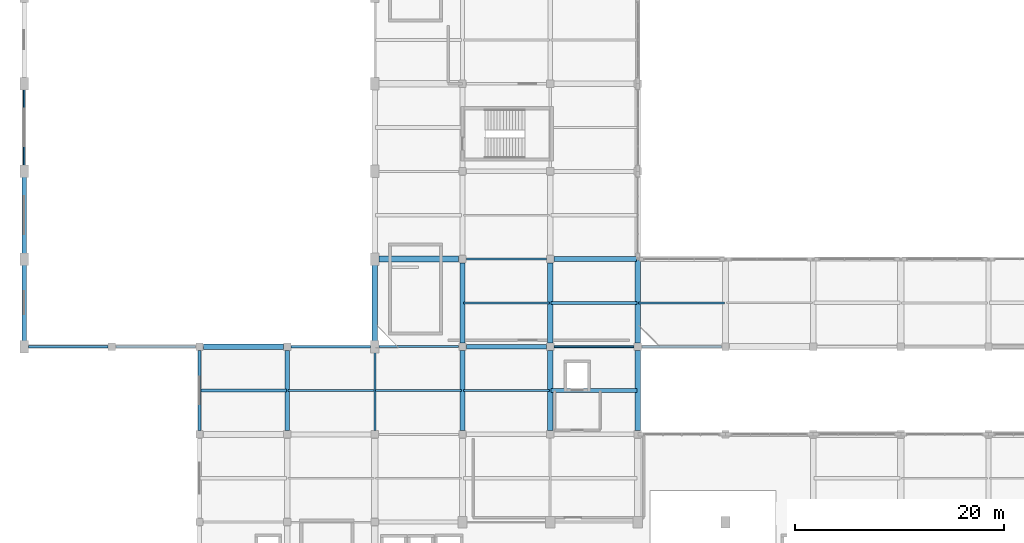
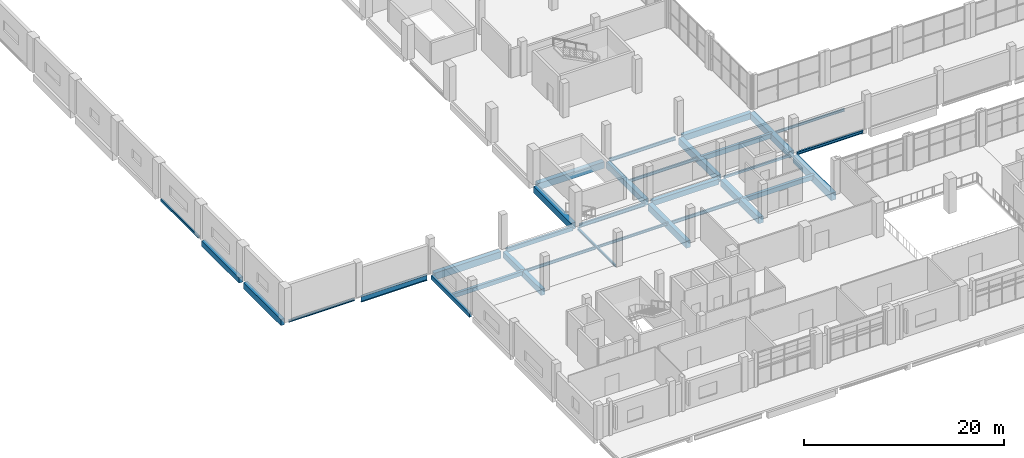
# One storey, part 13 of 59: 32 beams.
"""IFC4 building model written with IfcOpenShell, lengths in metres."""

import ifcopenshell
import ifcopenshell.guid

model = None  # the IFC model being written
_history = None  # IfcOwnerHistory: only IFC2X3 demands one
_inside = {}  # id of a spatial element -> (the spatial element, [elements in it])
_under = {}  # id of a project, library or spatial element -> (it, [spatial elements below it])
_declared = {}  # id of a project -> (the project, [libraries it declares])
_typed = {}  # id of a type object -> (the type object, [elements of that type])
_made_of = {}  # id of a material, layer set ... -> (it, [elements and type objects made of it])


def new_model(schema):
    """Start an empty IFC model of exactly this schema.

    Asked for "IFC4X3", IfcOpenShell would pick the latest addendum, in which some entities
    have other attributes; the version numbers below select the first issue.
    IFC2X3 requires an IfcOwnerHistory on every rooted entity: one is made here for all.
    """
    global model, _history
    if schema == "IFC4X3":
        model = ifcopenshell.file(schema_version=(4, 3, 0, 0))
    else:
        model = ifcopenshell.file(schema=schema)
    _inside.clear()
    _under.clear()
    _declared.clear()
    _typed.clear()
    _made_of.clear()
    _history = None
    if model.schema == "IFC2X3":
        org = make("IfcOrganization", Name="unknown")
        user = make(
            "IfcPersonAndOrganization",
            ThePerson=make("IfcPerson", FamilyName="unknown"),
            TheOrganization=org,
        )
        app = make(
            "IfcApplication",
            ApplicationDeveloper=org,
            Version="unknown",
            ApplicationFullName="unknown",
            ApplicationIdentifier="unknown",
        )
        _history = make(
            "IfcOwnerHistory",
            OwningUser=user,
            OwningApplication=app,
            ChangeAction="ADDED",
            CreationDate=0,
        )
    return model


def make(cls, **values):
    """One entity of the class cls with the attributes given. An attribute that is None is left unset."""
    return model.create_entity(
        cls, **{name: value for name, value in values.items() if value is not None}
    )


def rooted(cls, **values):
    """An entity with a GlobalId (a new one), such as an element, a storey or a relation."""
    return make(cls, GlobalId=ifcopenshell.guid.new(), OwnerHistory=_history, **values)


def si_unit(unit_type, name, prefix=None):
    """IfcSIUnit, for example si_unit("LENGTHUNIT", "METRE", prefix="MILLI")."""
    return make("IfcSIUnit", UnitType=unit_type, Prefix=prefix, Name=name)


def derived_unit(unit_type, elements):
    """IfcDerivedUnit: a product of units, each with its exponent."""
    return make(
        "IfcDerivedUnit",
        Elements=[
            make("IfcDerivedUnitElement", Unit=unit, Exponent=power)
            for unit, power in elements
        ],
        UnitType=unit_type,
    )


def assignment(units):
    """IfcUnitAssignment: the units of a project."""
    return None if units is None else make("IfcUnitAssignment", Units=units)


def point(xyz):
    """IfcCartesianPoint."""
    return None if xyz is None else make("IfcCartesianPoint", Coordinates=xyz)


def direction(xyz):
    """IfcDirection."""
    return None if xyz is None else make("IfcDirection", DirectionRatios=xyz)


def frame(location, z_axis=None, x_axis=None):
    """IfcAxis2Placement3D, a coordinate frame: its origin and axes. An axis left out is left unset."""
    return make(
        "IfcAxis2Placement3D",
        Location=point(location),
        Axis=direction(z_axis),
        RefDirection=direction(x_axis),
    )


def frame_2d(location, x_axis=None):
    """IfcAxis2Placement2D, a coordinate frame in the plane: its origin and x axis."""
    return make(
        "IfcAxis2Placement2D", Location=point(location), RefDirection=direction(x_axis)
    )


def origin():
    """The frame at (0, 0, 0) with its axes left unset."""
    return frame((0.0, 0.0, 0.0))


def origin_2d():
    """The frame at (0, 0) in the plane with its x axis left unset."""
    return frame_2d((0.0, 0.0))


def place(relative_to, where):
    """IfcLocalPlacement: puts the frame where relative to a parent placement (None: the world)."""
    return make(
        "IfcLocalPlacement", PlacementRelTo=relative_to, RelativePlacement=where
    )


def context(
    kind, dimensions, precision=None, world=None, true_north=None, identifier=None
):
    """IfcGeometricRepresentationContext, for example the 3D "Model" context."""
    return make(
        "IfcGeometricRepresentationContext",
        ContextIdentifier=identifier,
        ContextType=kind,
        CoordinateSpaceDimension=dimensions,
        Precision=precision,
        WorldCoordinateSystem=world,
        TrueNorth=true_north,
    )


def subcontext(parent, identifier, kind, view, scale=None):
    """IfcGeometricRepresentationSubContext, for example "Body" below "Model"."""
    return make(
        "IfcGeometricRepresentationSubContext",
        ContextIdentifier=identifier,
        ContextType=kind,
        ParentContext=parent,
        TargetScale=scale,
        TargetView=view,
    )


def project(units=None, contexts=None):
    """IfcProject with its units and contexts."""
    return rooted(
        "IfcProject",
        Name="project",
        RepresentationContexts=contexts,
        UnitsInContext=assignment(units),
    )


def spatial(cls, under=None, at=None, **own):
    """A site, building, storey or space (cls), placed at a placement, below another one or the project."""
    s = rooted(cls, ObjectPlacement=at, **own)
    if under is not None:
        _under.setdefault(under.id(), (under, []))[1].append(s)
    return s


def profile(cls, at=None, kind="AREA", **sizes):
    """A parametric profile (cls). Its sizes go by their IFC names, for example OverallWidth=200.0."""
    return make(cls, ProfileType=kind, Position=at, **sizes)


def rectangle(**sizes):
    """IfcRectangleProfileDef."""
    return profile("IfcRectangleProfileDef", **sizes)


def hollow_rectangle(**sizes):
    """IfcRectangleHollowProfileDef."""
    return profile("IfcRectangleHollowProfileDef", **sizes)


def i_section(**sizes):
    """IfcIShapeProfileDef."""
    return profile("IfcIShapeProfileDef", **sizes)


def extrude(swept, where, along, depth):
    """IfcExtrudedAreaSolid: the profile swept, set in the frame where, extruded along a direction by depth."""
    return make(
        "IfcExtrudedAreaSolid",
        SweptArea=swept,
        Position=where,
        ExtrudedDirection=direction(along),
        Depth=depth,
    )


def shape(context_of_items, identifier, shape_type, items):
    """IfcShapeRepresentation: the items that make up one representation, for example the "Body"."""
    return make(
        "IfcShapeRepresentation",
        ContextOfItems=context_of_items,
        RepresentationIdentifier=identifier,
        RepresentationType=shape_type,
        Items=items,
    )


def material(Name=None, Category=None):
    """IfcMaterial."""
    return make("IfcMaterial", Name=Name, Category=Category)


def material_profile(
    of_material, cross_section, Name=None, Category=None, Priority=None
):
    """IfcMaterialProfile: a cross section and its material."""
    return make(
        "IfcMaterialProfile",
        Name=Name,
        Material=of_material,
        Profile=cross_section,
        Priority=Priority,
        Category=Category,
    )


def profile_set(profiles, Name=None, composite=None):
    """IfcMaterialProfileSet."""
    return make(
        "IfcMaterialProfileSet",
        Name=Name,
        MaterialProfiles=profiles,
        CompositeProfile=composite,
    )


def made_of(thing, what):
    """Note that an element or type object is made of a material, layer set ...; save() writes the relation."""
    if what is not None:
        _made_of.setdefault(what.id(), (what, []))[1].append(thing)
    return thing


def type_object(cls, material=None, **own):
    """A type object (cls), such as IfcWallType, which elements share."""
    return made_of(rooted(cls, **own), material)


def element(
    cls,
    number,
    at=None,
    inside=None,
    cuts=None,
    type_object=None,
    material=None,
    context=None,
    identifier="Body",
    shape_type=None,
    held_by="IfcProductDefinitionShape",
    body=None,
    shapes=None,
    **own,
):
    """One element of the class cls, such as IfcWall. Its Tag is "e" and its number.

    at: its placement. inside: the storey or other place that contains it. cuts: it is an
    opening in that element (IfcRelVoidsElement). A single representation is given by context,
    identifier, shape_type and body (its items); several are given by shapes. held_by: the class
    of the entity that holds the representations. save() writes the other relations.
    """
    e = rooted(cls, Tag="e%d" % number, ObjectPlacement=at, **own)
    if body is not None:
        shapes = [shape(context, identifier, shape_type, body)]
    if shapes is not None:
        e.Representation = make(held_by, Representations=shapes)
    if inside is not None:
        _inside.setdefault(inside.id(), (inside, []))[1].append(e)
    if cuts is not None:
        rooted(
            "IfcRelVoidsElement", RelatingBuildingElement=cuts, RelatedOpeningElement=e
        )
    if type_object is not None:
        _typed.setdefault(type_object.id(), (type_object, []))[1].append(e)
    return made_of(e, material)


def aggregate(whole, parts):
    """IfcRelAggregates: a whole, such as a stair, and the parts it consists of."""
    return rooted("IfcRelAggregates", RelatingObject=whole, RelatedObjects=parts)


def save(model, path):
    """Write the relations noted so far, then the file.

    IfcRelAggregates (storeys below a building ...), IfcRelContainedInSpatialStructure (elements
    in a storey), IfcRelDefinesByType, IfcRelAssociatesMaterial and IfcRelDeclares: one each for
    every whole, place, type object, material and project.
    """
    for whole, parts in _under.values():
        aggregate(whole, parts)
    for where, things in _inside.values():
        rooted(
            "IfcRelContainedInSpatialStructure",
            RelatedElements=things,
            RelatingStructure=where,
        )
    for kind, things in _typed.values():
        rooted("IfcRelDefinesByType", RelatedObjects=things, RelatingType=kind)
    for what, things in _made_of.values():
        rooted("IfcRelAssociatesMaterial", RelatedObjects=things, RelatingMaterial=what)
    for by, libraries in _declared.values():
        rooted("IfcRelDeclares", RelatingContext=by, RelatedDefinitions=libraries)
    model.write(path)


model = new_model("IFC4")

# Units and contexts
model_context = context("Model", 3, precision=1e-05, world=origin(), true_north=direction((0.0, 1.0)))
body_context = subcontext(model_context, "Body", "Model", "MODEL_VIEW")
ifc_project = project(units=[si_unit("LENGTHUNIT", "METRE"), si_unit("AREAUNIT", "SQUARE_METRE"), si_unit("VOLUMEUNIT", "CUBIC_METRE"), si_unit("PLANEANGLEUNIT", "RADIAN"), si_unit("MASSUNIT", "GRAM", prefix="KILO"), derived_unit("THERMALTRANSMITTANCEUNIT", [(si_unit("POWERUNIT", "WATT"), 1), (si_unit("LENGTHUNIT", "METRE"), -2), (si_unit("THERMODYNAMICTEMPERATUREUNIT", "KELVIN"), -1)])], contexts=[model_context])

# Site, building, storey
site_placement = place(None, origin())
site = spatial("IfcSite", under=ifc_project, at=site_placement, CompositionType="ELEMENT")
building_placement = place(site_placement, origin())
building = spatial("IfcBuilding", under=site, at=building_placement, Name="Barrovel Congress Hotel", CompositionType="ELEMENT")
storey_placement = place(building_placement, frame((0.0, 0.0, 9.89990234375)))
storey = spatial("IfcBuildingStorey", under=building, at=storey_placement, Name="L02", CompositionType="ELEMENT", Elevation=9.89990234375)

# Beams
ifc_material_1 = material(Name="Concrete C40", Category="concrete")
ifc_material_profile_1 = material_profile(ifc_material_1, rectangle(XDim=0.25, YDim=0.5, at=origin_2d()), Name="RC250x500")
ifc_profile_set_1 = profile_set([ifc_material_profile_1], Name="Concrete C40")
beam_type_1 = type_object("IfcBeamType", Name="BM-RC250x500", PredefinedType="SPANDREL", material=ifc_profile_set_1)
beam_1_placement = place(storey_placement, frame((25.574951171875, 37.800048828125, -0.510009765625), z_axis=(1.0, 0.0, 0.0), x_axis=(0.0, 1.0, 0.0)))
element("IfcBeam", 1, at=beam_1_placement, inside=storey, type_object=beam_type_1, Name="BMX:L02:37.8:25.2-33.6", PredefinedType="SPANDREL", context=body_context, shape_type="SweptSolid", body=[
    extrude(rectangle(XDim=0.25, YDim=0.5, at=origin_2d()), origin(), (0.0, 0.0, 1.0), 7.625),
])
beam_2_placement = place(storey_placement, frame((16.800048828125, 29.77490234375, -0.510009765625), z_axis=(0.0, 1.0, 0.0), x_axis=(-1.0, 0.0, 0.0)))
element("IfcBeam", 2, at=beam_2_placement, inside=storey, type_object=beam_type_1, Name="BMY:L02:16.8:29.4-37.8", PredefinedType="SPANDREL", context=body_context, shape_type="SweptSolid", body=[
    extrude(rectangle(XDim=0.25, YDim=0.5, at=origin_2d()), origin(), (0.0, 0.0, 1.0), 7.650146484375),
])
ifc_material_profile_2 = material_profile(ifc_material_1, rectangle(XDim=0.300048828125, YDim=0.5, at=origin_2d()), Name="RC300x500")
ifc_profile_set_2 = profile_set([ifc_material_profile_2], Name="Concrete C40")
beam_type_2 = type_object("IfcBeamType", Name="BM-RC300x500", PredefinedType="JOIST", material=ifc_profile_set_2)
beam_3_placement = place(storey_placement, frame((16.8798828125, 33.60009765625, -0.510009765625), z_axis=(1.0, 0.0, 0.0), x_axis=(0.0, 1.0, 0.0)))
element("IfcBeam", 3, at=beam_3_placement, inside=storey, type_object=beam_type_2, Name="JST:L02:16.8:33.6", PredefinedType="JOIST", context=body_context, shape_type="SweptSolid", body=[
    extrude(rectangle(XDim=0.300048828125, YDim=0.5, at=origin_2d()), origin(), (0.0, 0.0, 1.0), 8.240234375),
])
ifc_material_profile_3 = material_profile(ifc_material_1, rectangle(XDim=0.300048828125, YDim=0.60009765625, at=origin_2d()), Name="RC300x600")
ifc_profile_set_3 = profile_set([ifc_material_profile_3], Name="Concrete C40")
beam_type_3 = type_object("IfcBeamType", Name="BM-RC300x600", PredefinedType="JOIST", material=ifc_profile_set_3)
beam_4_placement = place(storey_placement, frame((50.47998046875, 42.0, -0.559814453125), z_axis=(1.0, 0.0, 0.0), x_axis=(0.0, 1.0, 0.0)))
element("IfcBeam", 4, at=beam_4_placement, inside=storey, type_object=beam_type_3, Name="JST:L02:50.4:42.0", PredefinedType="JOIST", context=body_context, shape_type="SweptSolid", body=[
    extrude(rectangle(XDim=0.300048828125, YDim=0.60009765625, at=origin_2d()), origin(), (0.0, 0.0, 1.0), 8.239990234375),
])
ifc_material_profile_4 = material_profile(ifc_material_1, rectangle(XDim=0.35009765625, YDim=0.550048828125, at=origin_2d()), Name="RC350x550")
ifc_profile_set_4 = profile_set([ifc_material_profile_4], Name="Concrete C40")
beam_type_4 = type_object("IfcBeamType", Name="BM-RC350x550", PredefinedType="JOIST", material=ifc_profile_set_4)
beam_5_placement = place(storey_placement, frame((50.47998046875, 33.60009765625, -0.534912109375), z_axis=(1.0, 0.0, 0.0), x_axis=(0.0, 1.0, 0.0)))
element("IfcBeam", 5, at=beam_5_placement, inside=storey, type_object=beam_type_4, Name="JST:L02:50.4:33.6", PredefinedType="JOIST", context=body_context, shape_type="SweptSolid", body=[
    extrude(rectangle(XDim=0.35009765625, YDim=0.550048828125, at=origin_2d()), origin(), (0.0, 0.0, 1.0), 8.239990234375),
])
ifc_material_profile_5 = material_profile(ifc_material_1, rectangle(XDim=0.449951171875, YDim=0.64990234375, at=origin_2d()), Name="RC450x650")
ifc_profile_set_5 = profile_set([ifc_material_profile_5], Name="Concrete C40")
beam_type_5 = type_object("IfcBeamType", Name="BM-RC450x650", PredefinedType="BEAM", material=ifc_profile_set_5)
beam_6_placement = place(storey_placement, frame((42.375, 37.800048828125, -0.5849609375), z_axis=(1.0, 0.0, 0.0), x_axis=(0.0, 1.0, 0.0)))
element("IfcBeam", 6, at=beam_6_placement, inside=storey, type_object=beam_type_5, Name="BMX:L02:37.8:42.0-50.4", PredefinedType="BEAM", context=body_context, shape_type="SweptSolid", body=[
    extrude(rectangle(XDim=0.449951171875, YDim=0.64990234375, at=origin_2d()), origin(), (0.0, 0.0, 1.0), 7.64990234375),
])
beam_7_placement = place(storey_placement, frame((0.0, 46.64990234375, -0.5849609375), z_axis=(0.0, 1.0, 0.0), x_axis=(-1.0, 0.0, 0.0)))
element("IfcBeam", 7, at=beam_7_placement, inside=storey, type_object=beam_type_5, Name="BMY:L02:0.0:46.2-54.6", PredefinedType="BEAM", context=body_context, shape_type="SweptSolid", body=[
    extrude(rectangle(XDim=0.449951171875, YDim=0.64990234375, at=origin_2d()), origin(), (0.0, 0.0, 1.0), 7.5),
])
ifc_material_profile_6 = material_profile(ifc_material_1, rectangle(XDim=0.449951171875, YDim=0.75, at=origin_2d()), Name="RC450x750")
ifc_profile_set_6 = profile_set([ifc_material_profile_6], Name="Concrete C40")
beam_type_6 = type_object("IfcBeamType", Name="BM-RC450x750", PredefinedType="BEAM", material=ifc_profile_set_6)
beam_8_placement = place(storey_placement, frame((0.0, 38.25, -0.635009765625), z_axis=(0.0, 1.0, 0.0), x_axis=(-1.0, 0.0, 0.0)))
element("IfcBeam", 8, at=beam_8_placement, inside=storey, type_object=beam_type_6, Name="BMY:L02:0.0:37.8-46.2", PredefinedType="BEAM", context=body_context, shape_type="SweptSolid", body=[
    extrude(rectangle(XDim=0.449951171875, YDim=0.75, at=origin_2d()), origin(), (0.0, 0.0, 1.0), 7.5),
])
beam_9_placement = place(storey_placement, frame((25.199951171875, 29.77490234375, -0.635009765625), z_axis=(0.0, 1.0, 0.0), x_axis=(-1.0, 0.0, 0.0)))
element("IfcBeam", 9, at=beam_9_placement, inside=storey, type_object=beam_type_6, Name="BMY:L02:25.2:29.4-37.8", PredefinedType="BEAM", context=body_context, shape_type="SweptSolid", body=[
    extrude(rectangle(XDim=0.449951171875, YDim=0.75, at=origin_2d()), origin(), (0.0, 0.0, 1.0), 7.650146484375),
])
ifc_material_profile_7 = material_profile(ifc_material_1, rectangle(XDim=0.5, YDim=0.75, at=origin_2d()), Name="RC500x750")
ifc_profile_set_7 = profile_set([ifc_material_profile_7], Name="Concrete C40")
beam_type_7 = type_object("IfcBeamType", Name="BM-RC500x750", PredefinedType="BEAM", material=ifc_profile_set_7)
beam_10_placement = place(storey_placement, frame((50.77490234375, 46.199951171875, -0.635009765625), z_axis=(1.0, 0.0, 0.0), x_axis=(0.0, 1.0, 0.0)))
element("IfcBeam", 10, at=beam_10_placement, inside=storey, type_object=beam_type_7, Name="BMX:L02:46.2:50.4-58.8", PredefinedType="BEAM", context=body_context, shape_type="SweptSolid", body=[
    extrude(rectangle(XDim=0.5, YDim=0.75, at=origin_2d()), origin(), (0.0, 0.0, 1.0), 7.91552734375),
])
beam_11_placement = place(storey_placement, frame((42.0, 38.175048828125, -0.635009765625), z_axis=(0.0, 1.0, 0.0), x_axis=(-1.0, 0.0, 0.0)))
element("IfcBeam", 11, at=beam_11_placement, inside=storey, type_object=beam_type_7, Name="BMY:L02:42.0:37.8-46.2", PredefinedType="BEAM", context=body_context, shape_type="SweptSolid", body=[
    extrude(rectangle(XDim=0.5, YDim=0.75, at=origin_2d()), origin(), (0.0, 0.0, 1.0), 7.64990234375),
])
ifc_material_profile_8 = material_profile(ifc_material_1, rectangle(XDim=0.5, YDim=0.85009765625, at=origin_2d()), Name="RC500x850")
ifc_profile_set_8 = profile_set([ifc_material_profile_8], Name="Concrete C40")
beam_type_8 = type_object("IfcBeamType", Name="BM-RC500x850", PredefinedType="BEAM", material=ifc_profile_set_8)
beam_12_placement = place(storey_placement, frame((17.175048828125, 37.800048828125, -0.684814453125), z_axis=(1.0, 0.0, 0.0), x_axis=(0.0, 1.0, 0.0)))
element("IfcBeam", 12, at=beam_12_placement, inside=storey, type_object=beam_type_8, Name="BMX:L02:37.8:16.8-25.2", PredefinedType="BEAM", context=body_context, shape_type="SweptSolid", body=[
    extrude(rectangle(XDim=0.5, YDim=0.85009765625, at=origin_2d()), origin(), (0.0, 0.0, 1.0), 7.64990234375),
])
beam_13_placement = place(storey_placement, frame((42.0, 29.77490234375, -0.684814453125), z_axis=(0.0, 1.0, 0.0), x_axis=(-1.0, 0.0, 0.0)))
element("IfcBeam", 13, at=beam_13_placement, inside=storey, type_object=beam_type_8, Name="BMY:L02:42.0:29.4-37.8", PredefinedType="BEAM", context=body_context, shape_type="SweptSolid", body=[
    extrude(rectangle(XDim=0.5, YDim=0.85009765625, at=origin_2d()), origin(), (0.0, 0.0, 1.0), 7.650146484375),
])
beam_14_placement = place(storey_placement, frame((50.39990234375, 38.175048828125, -0.684814453125), z_axis=(0.0, 1.0, 0.0), x_axis=(-1.0, 0.0, 0.0)))
element("IfcBeam", 14, at=beam_14_placement, inside=storey, type_object=beam_type_8, Name="BMY:L02:50.4:37.8-46.2", PredefinedType="BEAM", context=body_context, shape_type="SweptSolid", body=[
    extrude(rectangle(XDim=0.5, YDim=0.85009765625, at=origin_2d()), origin(), (0.0, 0.0, 1.0), 7.64990234375),
])
ifc_material_profile_9 = material_profile(ifc_material_1, rectangle(XDim=0.550048828125, YDim=0.800048828125, at=origin_2d()), Name="RC550x800")
ifc_profile_set_9 = profile_set([ifc_material_profile_9], Name="Concrete C40")
beam_type_9 = type_object("IfcBeamType", Name="BM-RC550x800", PredefinedType="BEAM", material=ifc_profile_set_9)
beam_15_placement = place(storey_placement, frame((34.0, 46.199951171875, -0.659912109375), z_axis=(1.0, 0.0, 0.0), x_axis=(0.0, 1.0, 0.0)))
element("IfcBeam", 15, at=beam_15_placement, inside=storey, type_object=beam_type_9, Name="BMX:L02:46.2:33.6-42.0", PredefinedType="BEAM", context=body_context, shape_type="SweptSolid", body=[
    extrude(rectangle(XDim=0.550048828125, YDim=0.800048828125, at=origin_2d()), origin(), (0.0, 0.0, 1.0), 7.625),
])
beam_16_placement = place(storey_placement, frame((33.60009765625, 38.25, -0.659912109375), z_axis=(0.0, 1.0, 0.0), x_axis=(-1.0, 0.0, 0.0)))
element("IfcBeam", 16, at=beam_16_placement, inside=storey, type_object=beam_type_9, Name="BMY:L02:33.6:37.8-46.2", PredefinedType="BEAM", context=body_context, shape_type="SweptSolid", body=[
    extrude(rectangle(XDim=0.550048828125, YDim=0.800048828125, at=origin_2d()), origin(), (0.0, 0.0, 1.0), 7.5),
])
beam_17_placement = place(storey_placement, frame((50.39990234375, 29.77490234375, -0.659912109375), z_axis=(0.0, 1.0, 0.0), x_axis=(-1.0, 0.0, 0.0)))
element("IfcBeam", 17, at=beam_17_placement, inside=storey, type_object=beam_type_9, Name="BMY:L02:50.4:29.4-37.8", PredefinedType="BEAM", context=body_context, shape_type="SweptSolid", body=[
    extrude(rectangle(XDim=0.550048828125, YDim=0.800048828125, at=origin_2d()), origin(), (0.0, 0.0, 1.0), 7.650146484375),
])
beam_18_placement = place(storey_placement, frame((58.800048828125, 38.175048828125, -0.659912109375), z_axis=(0.0, 1.0, 0.0), x_axis=(-1.0, 0.0, 0.0)))
element("IfcBeam", 18, at=beam_18_placement, inside=storey, type_object=beam_type_9, Name="BMY:L02:58.8:37.8-46.2", PredefinedType="BEAM", context=body_context, shape_type="SweptSolid", body=[
    extrude(rectangle(XDim=0.550048828125, YDim=0.800048828125, at=origin_2d()), origin(), (0.0, 0.0, 1.0), 7.91552734375),
])
ifc_material_profile_10 = material_profile(ifc_material_1, rectangle(XDim=0.550048828125, YDim=0.89990234375, at=origin_2d()), Name="RC550x900")
ifc_profile_set_10 = profile_set([ifc_material_profile_10], Name="Concrete C40")
beam_type_10 = type_object("IfcBeamType", Name="BM-RC550x900", PredefinedType="BEAM", material=ifc_profile_set_10)
beam_19_placement = place(storey_placement, frame((58.800048828125, 29.77490234375, -0.7099609375), z_axis=(0.0, 1.0, 0.0), x_axis=(-1.0, 0.0, 0.0)))
element("IfcBeam", 19, at=beam_19_placement, inside=storey, type_object=beam_type_10, Name="BMY:L02:58.8:29.4-37.8", PredefinedType="BEAM", context=body_context, shape_type="SweptSolid", body=[
    extrude(rectangle(XDim=0.550048828125, YDim=0.89990234375, at=origin_2d()), origin(), (0.0, 0.0, 1.0), 7.650146484375),
])
ifc_material_2 = material(Name="Steel ASTM A500 Grade C", Category="steel")
ifc_material_profile_11 = material_profile(ifc_material_2, hollow_rectangle(XDim=0.203125, YDim=0.3046875, WallThickness=0.01171875, InnerFilletRadius=0.01171875, OuterFilletRadius=0.023681640625, at=origin_2d()), Name="HSS305x203x12.7")
ifc_profile_set_11 = profile_set([ifc_material_profile_11], Name="Steel ASTM A500 Grade C")
beam_type_11 = type_object("IfcBeamType", Name="SBM-HSS305x203x12.7", PredefinedType="SPANDREL", material=ifc_profile_set_11)
beam_20_placement = place(storey_placement, frame((50.77490234375, 37.800048828125, -0.412353515625), z_axis=(1.0, 0.0, 0.0), x_axis=(0.0, 1.0, 0.0)))
element("IfcBeam", 20, at=beam_20_placement, inside=storey, type_object=beam_type_11, Name="BMX:L02:37.8:50.4-58.8", PredefinedType="SPANDREL", context=body_context, shape_type="SweptSolid", body=[
    extrude(hollow_rectangle(XDim=0.203125, YDim=0.3046875, WallThickness=0.01171875, InnerFilletRadius=0.01171875, OuterFilletRadius=0.023681640625, at=origin_2d()), origin(), (0.0, 0.0, 1.0), 7.650146484375),
])
beam_21_placement = place(storey_placement, frame((0.0, 55.050048828125, -0.412353515625), z_axis=(0.0, 1.0, 0.0), x_axis=(-1.0, 0.0, 0.0)))
element("IfcBeam", 21, at=beam_21_placement, inside=storey, type_object=beam_type_11, Name="BMY:L02:0.0:54.6-63.0", PredefinedType="SPANDREL", context=body_context, shape_type="SweptSolid", body=[
    extrude(hollow_rectangle(XDim=0.203125, YDim=0.3046875, WallThickness=0.01171875, InnerFilletRadius=0.01171875, OuterFilletRadius=0.023681640625, at=origin_2d()), origin(), (0.0, 0.0, 1.0), 7.5),
])
ifc_material_3 = material(Name="Steel ASTM A992 Grade 50", Category="steel")
ifc_material_profile_12 = material_profile(ifc_material_3, i_section(OverallWidth=0.201904296875, OverallDepth=0.2470703125, WebThickness=0.00732421875, FlangeThickness=0.010986328125, FilletRadius=0.011962890625, at=origin_2d()), Name="W250x49")
ifc_profile_set_12 = profile_set([ifc_material_profile_12], Name="Steel ASTM A992 Grade 50")
beam_type_12 = type_object("IfcBeamType", Name="SBM-W250x49", PredefinedType="SPANDREL", material=ifc_profile_set_12)
beam_22_placement = place(storey_placement, frame((0.39990234375, 37.800048828125, -0.38330078125), z_axis=(1.0, 0.0, 0.0), x_axis=(0.0, 1.0, 0.0)))
element("IfcBeam", 22, at=beam_22_placement, inside=storey, type_object=beam_type_12, Name="BMX:L02:37.8:0.0-8.4", PredefinedType="SPANDREL", context=body_context, shape_type="SweptSolid", body=[
    extrude(i_section(OverallWidth=0.201904296875, OverallDepth=0.2470703125, WebThickness=0.00732421875, FlangeThickness=0.010986328125, FilletRadius=0.011962890625, at=origin_2d()), origin(), (0.0, 0.0, 1.0), 7.625),
])
beam_23_placement = place(storey_placement, frame((33.60009765625, 29.77490234375, -0.38330078125), z_axis=(0.0, 1.0, 0.0), x_axis=(-1.0, 0.0, 0.0)))
element("IfcBeam", 23, at=beam_23_placement, inside=storey, type_object=beam_type_12, Name="BMY:L02:33.6:29.4-37.8", PredefinedType="SPANDREL", context=body_context, shape_type="SweptSolid", body=[
    extrude(i_section(OverallWidth=0.201904296875, OverallDepth=0.2470703125, WebThickness=0.00732421875, FlangeThickness=0.010986328125, FilletRadius=0.011962890625, at=origin_2d()), origin(), (0.0, 0.0, 1.0), 7.5751953125),
])
ifc_material_profile_13 = material_profile(ifc_material_3, i_section(OverallWidth=0.1650390625, OverallDepth=0.31005859375, WebThickness=0.005859375, FlangeThickness=0.009765625, FilletRadius=0.010986328125, at=origin_2d()), Name="W310x39")
ifc_profile_set_13 = profile_set([ifc_material_profile_13], Name="Steel ASTM A992 Grade 50")
beam_type_13 = type_object("IfcBeamType", Name="SBM-W310x39", PredefinedType="JOIST", material=ifc_profile_set_13)
beam_24_placement = place(storey_placement, frame((33.679931640625, 33.60009765625, -0.414794921875), z_axis=(1.0, 0.0, 0.0), x_axis=(0.0, 1.0, 0.0)))
element("IfcBeam", 24, at=beam_24_placement, inside=storey, type_object=beam_type_13, Name="JST:L02:33.6:33.6", PredefinedType="JOIST", context=body_context, shape_type="SweptSolid", body=[
    extrude(i_section(OverallWidth=0.1650390625, OverallDepth=0.31005859375, WebThickness=0.005859375, FlangeThickness=0.009765625, FilletRadius=0.010986328125, at=origin_2d()), origin(), (0.0, 0.0, 1.0), 8.239990234375),
])
ifc_material_profile_14 = material_profile(ifc_material_3, i_section(OverallWidth=0.1669921875, OverallDepth=0.31689453125, WebThickness=0.007568359375, FlangeThickness=0.01318359375, FilletRadius=0.010986328125, at=origin_2d()), Name="W310x52")
ifc_profile_set_14 = profile_set([ifc_material_profile_14], Name="Steel ASTM A992 Grade 50")
beam_type_14 = type_object("IfcBeamType", Name="SBM-W310x52", PredefinedType="JOIST", material=ifc_profile_set_14)
beam_25_placement = place(storey_placement, frame((58.8798828125, 42.0, -0.41845703125), z_axis=(1.0, 0.0, 0.0), x_axis=(0.0, 1.0, 0.0)))
element("IfcBeam", 25, at=beam_25_placement, inside=storey, type_object=beam_type_14, Name="JST:L02:58.8:42.0", PredefinedType="JOIST", context=body_context, shape_type="SweptSolid", body=[
    extrude(i_section(OverallWidth=0.1669921875, OverallDepth=0.31689453125, WebThickness=0.007568359375, FlangeThickness=0.01318359375, FilletRadius=0.010986328125, at=origin_2d()), origin(), (0.0, 0.0, 1.0), 8.240234375),
])
ifc_material_profile_15 = material_profile(ifc_material_3, i_section(OverallWidth=0.1708984375, OverallDepth=0.35205078125, WebThickness=0.0068359375, FlangeThickness=0.009765625, FilletRadius=0.011962890625, at=origin_2d()), Name="W360x44")
ifc_profile_set_15 = profile_set([ifc_material_profile_15], Name="Steel ASTM A992 Grade 50")
beam_type_15 = type_object("IfcBeamType", Name="SBM-W360x44", PredefinedType="JOIST", material=ifc_profile_set_15)
beam_26_placement = place(storey_placement, frame((25.280029296875, 33.60009765625, -0.435791015625), z_axis=(1.0, 0.0, 0.0), x_axis=(0.0, 1.0, 0.0)))
element("IfcBeam", 26, at=beam_26_placement, inside=storey, type_object=beam_type_15, Name="JST:L02:25.2:33.6", PredefinedType="JOIST", context=body_context, shape_type="SweptSolid", body=[
    extrude(i_section(OverallWidth=0.1708984375, OverallDepth=0.35205078125, WebThickness=0.0068359375, FlangeThickness=0.009765625, FilletRadius=0.011962890625, at=origin_2d()), origin(), (0.0, 0.0, 1.0), 8.239990234375),
])
ifc_material_profile_16 = material_profile(ifc_material_3, i_section(OverallWidth=0.172119140625, OverallDepth=0.35791015625, WebThickness=0.0078125, FlangeThickness=0.01318359375, FilletRadius=0.011962890625, at=origin_2d()), Name="W360x57")
ifc_profile_set_16 = profile_set([ifc_material_profile_16], Name="Steel ASTM A992 Grade 50")
beam_type_16 = type_object("IfcBeamType", Name="SBM-W360x57", PredefinedType="JOIST", material=ifc_profile_set_16)
beam_27_placement = place(storey_placement, frame((42.080078125, 42.0, -0.43896484375), z_axis=(1.0, 0.0, 0.0), x_axis=(0.0, 1.0, 0.0)))
element("IfcBeam", 27, at=beam_27_placement, inside=storey, type_object=beam_type_16, Name="JST:L02:42.0:42.0", PredefinedType="JOIST", context=body_context, shape_type="SweptSolid", body=[
    extrude(i_section(OverallWidth=0.172119140625, OverallDepth=0.35791015625, WebThickness=0.0078125, FlangeThickness=0.01318359375, FilletRadius=0.011962890625, at=origin_2d()), origin(), (0.0, 0.0, 1.0), 8.239990234375),
])
ifc_material_profile_17 = material_profile(ifc_material_3, i_section(OverallWidth=0.205078125, OverallDepth=0.35400390625, WebThickness=0.009521484375, FlangeThickness=0.016845703125, FilletRadius=0.012939453125, at=origin_2d()), Name="W360x79")
ifc_profile_set_17 = profile_set([ifc_material_profile_17], Name="Steel ASTM A992 Grade 50")
beam_type_17 = type_object("IfcBeamType", Name="SBM-W360x79", PredefinedType="BEAM", material=ifc_profile_set_17)
beam_28_placement = place(storey_placement, frame((59.175048828125, 37.800048828125, -0.43701171875), z_axis=(1.0, 0.0, 0.0), x_axis=(0.0, 1.0, 0.0)))
element("IfcBeam", 28, at=beam_28_placement, inside=storey, type_object=beam_type_17, Name="BMX:L02:37.8:58.8-67.2", PredefinedType="BEAM", context=body_context, shape_type="SweptSolid", body=[
    extrude(i_section(OverallWidth=0.205078125, OverallDepth=0.35400390625, WebThickness=0.009521484375, FlangeThickness=0.016845703125, FilletRadius=0.012939453125, at=origin_2d()), origin(), (0.0, 0.0, 1.0), 7.64990234375),
])
ifc_material_profile_18 = material_profile(ifc_material_3, i_section(OverallWidth=0.177001953125, OverallDepth=0.403076171875, WebThickness=0.007568359375, FlangeThickness=0.010986328125, FilletRadius=0.011962890625, at=origin_2d()), Name="W410x53")
ifc_profile_set_18 = profile_set([ifc_material_profile_18], Name="Steel ASTM A992 Grade 50")
beam_type_18 = type_object("IfcBeamType", Name="SBM-W410x53", PredefinedType="JOIST", material=ifc_profile_set_18)
beam_29_placement = place(storey_placement, frame((42.080078125, 33.60009765625, -0.46142578125), z_axis=(1.0, 0.0, 0.0), x_axis=(0.0, 1.0, 0.0)))
element("IfcBeam", 29, at=beam_29_placement, inside=storey, type_object=beam_type_18, Name="JST:L02:42.0:33.6", PredefinedType="JOIST", context=body_context, shape_type="SweptSolid", body=[
    extrude(i_section(OverallWidth=0.177001953125, OverallDepth=0.403076171875, WebThickness=0.007568359375, FlangeThickness=0.010986328125, FilletRadius=0.011962890625, at=origin_2d()), origin(), (0.0, 0.0, 1.0), 8.239990234375),
])
ifc_material_profile_19 = material_profile(ifc_material_3, i_section(OverallWidth=0.178955078125, OverallDepth=0.409912109375, WebThickness=0.0087890625, FlangeThickness=0.014404296875, FilletRadius=0.011962890625, at=origin_2d()), Name="W410x67")
ifc_profile_set_19 = profile_set([ifc_material_profile_19], Name="Steel ASTM A992 Grade 50")
beam_type_19 = type_object("IfcBeamType", Name="SBM-W410x67", PredefinedType="BEAM", material=ifc_profile_set_19)
beam_30_placement = place(storey_placement, frame((42.375, 46.199951171875, -0.46484375), z_axis=(1.0, 0.0, 0.0), x_axis=(0.0, 1.0, 0.0)))
element("IfcBeam", 30, at=beam_30_placement, inside=storey, type_object=beam_type_19, Name="BMX:L02:46.2:42.0-50.4", PredefinedType="BEAM", context=body_context, shape_type="SweptSolid", body=[
    extrude(i_section(OverallWidth=0.178955078125, OverallDepth=0.409912109375, WebThickness=0.0087890625, FlangeThickness=0.014404296875, FilletRadius=0.011962890625, at=origin_2d()), origin(), (0.0, 0.0, 1.0), 7.64990234375),
])
ifc_material_profile_20 = material_profile(ifc_material_3, i_section(OverallWidth=0.19091796875, OverallDepth=0.4599609375, WebThickness=0.010009765625, FlangeThickness=0.01611328125, FilletRadius=0.012939453125, at=origin_2d()), Name="W460x82")
ifc_profile_set_20 = profile_set([ifc_material_profile_20], Name="Steel ASTM A992 Grade 50")
beam_type_20 = type_object("IfcBeamType", Name="SBM-W460x82", PredefinedType="BEAM", material=ifc_profile_set_20)
beam_31_placement = place(storey_placement, frame((34.0, 37.800048828125, -0.489990234375), z_axis=(1.0, 0.0, 0.0), x_axis=(0.0, 1.0, 0.0)))
element("IfcBeam", 31, at=beam_31_placement, inside=storey, type_object=beam_type_20, Name="BMX:L02:37.8:33.6-42.0", PredefinedType="BEAM", context=body_context, shape_type="SweptSolid", body=[
    extrude(i_section(OverallWidth=0.19091796875, OverallDepth=0.4599609375, WebThickness=0.010009765625, FlangeThickness=0.01611328125, FilletRadius=0.012939453125, at=origin_2d()), origin(), (0.0, 0.0, 1.0), 7.625),
])
ifc_material_profile_21 = material_profile(ifc_material_3, i_section(OverallWidth=0.25390625, OverallDepth=0.68408203125, WebThickness=0.012451171875, FlangeThickness=0.01904296875, FilletRadius=0.014892578125, at=origin_2d()), Name="W690x140")
ifc_profile_set_21 = profile_set([ifc_material_profile_21], Name="Steel ASTM A992 Grade 50")
beam_type_21 = type_object("IfcBeamType", Name="SBM-W690x140", PredefinedType="BEAM", material=ifc_profile_set_21)
beam_32_placement = place(storey_placement, frame((8.77490234375, 37.800048828125, -0.601806640625), z_axis=(1.0, 0.0, 0.0), x_axis=(0.0, 1.0, 0.0)))
element("IfcBeam", 32, at=beam_32_placement, inside=storey, type_object=beam_type_21, Name="BMX:L02:37.8:8.4-16.8", PredefinedType="BEAM", context=body_context, shape_type="SweptSolid", body=[
    extrude(i_section(OverallWidth=0.25390625, OverallDepth=0.68408203125, WebThickness=0.012451171875, FlangeThickness=0.01904296875, FilletRadius=0.014892578125, at=origin_2d()), origin(), (0.0, 0.0, 1.0), 7.650146484375),
])

save(model, "model.ifc")
